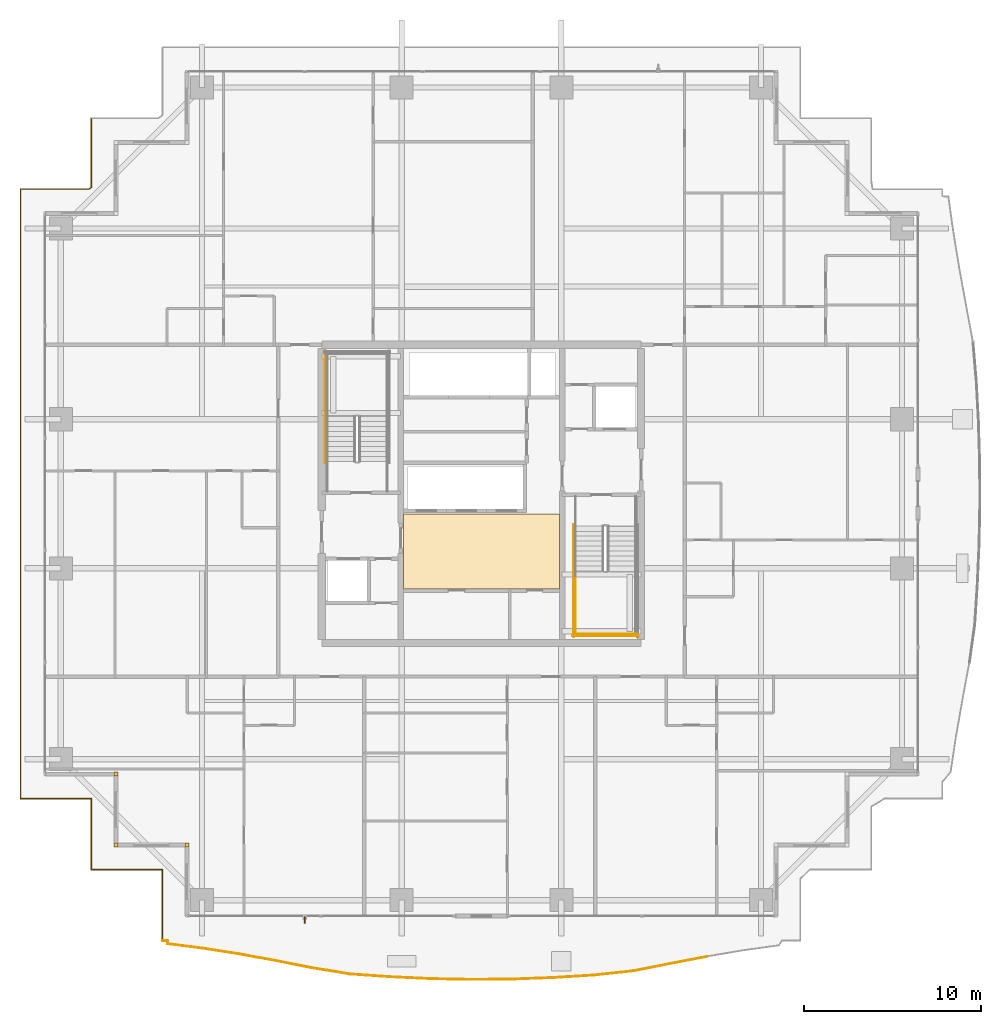
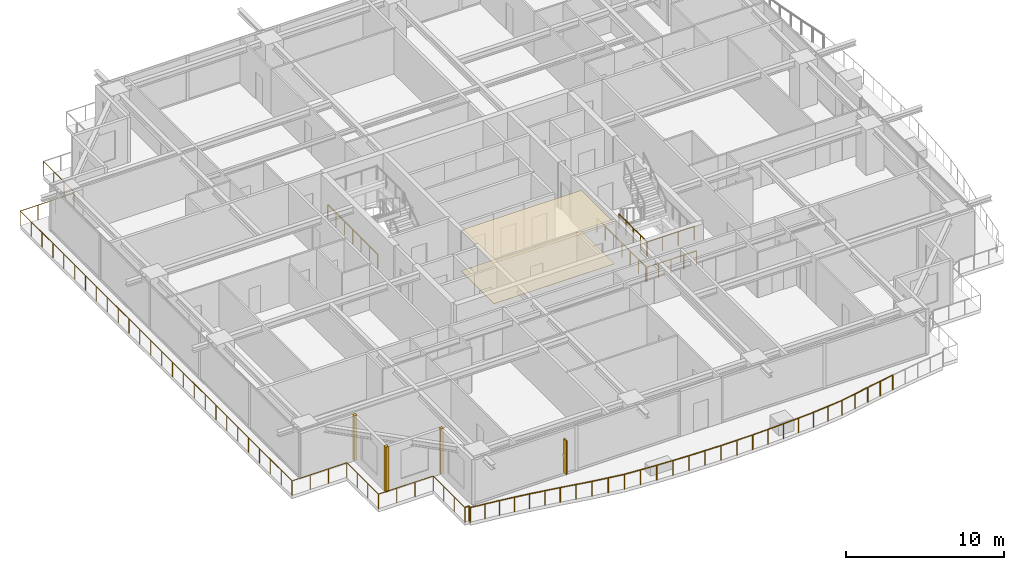
# One storey, part 31 of 35: 8 railings, 5 coverings, 1 shading device.
"""IFC4 building model written with IfcOpenShell, lengths in metres."""

from ifc_helpers import new_model, si_unit, direction, frame, origin, origin_2d, place, context, subcontext, project, spatial, polyline, rectangle, circle, outline, extrude, source, transform, mapped, material, layer, layer_set, type_object, element, save


model = new_model("IFC4")

# Units and contexts
model_context = context("Model", 3, precision=1e-05, world=origin(), true_north=direction((0.0, 1.0)))
body_context = subcontext(model_context, "Body", "Model", "MODEL_VIEW")
ifc_project = project(units=[si_unit("LENGTHUNIT", "METRE"), si_unit("AREAUNIT", "SQUARE_METRE"), si_unit("VOLUMEUNIT", "CUBIC_METRE"), si_unit("PLANEANGLEUNIT", "RADIAN"), si_unit("MASSUNIT", "GRAM", prefix="KILO")], contexts=[model_context])

# Site, building, storey
site_placement = place(None, origin())
site = spatial("IfcSite", under=ifc_project, at=site_placement, CompositionType="ELEMENT")
building_placement = place(site_placement, origin())
building = spatial("IfcBuilding", under=site, at=building_placement, Name="Serunith Strait Residences", CompositionType="ELEMENT")
storey_placement = place(building_placement, frame((0.0, 0.0, 191.39990234375)))
storey = spatial("IfcBuildingStorey", under=building, at=storey_placement, Name="L48", CompositionType="ELEMENT", Elevation=191.39990234375)

# Coverings
ifc_material_1 = material(Name="Perforated acoustic gypsum ceiling tile")
ifc_layer_1 = layer(ifc_material_1, 0.02490234375, Name="Perforated acoustic gypsum ceiling tile")
ifc_layer_set_1 = layer_set([ifc_layer_1], Name="Perforated acoustic gypsum ceiling tile")
covering_type_1 = type_object("IfcCoveringType", Name="COV-CEIL-AC60", PredefinedType="CEILING", material=ifc_layer_set_1)
covering_1_placement = place(storey_placement, frame((0.0, 0.0, 3.14013671875)))
element("IfcCovering", 1, at=covering_1_placement, inside=storey, type_object=covering_type_1, Name="L48 Lift Lobby Acoustic Ceiling", PredefinedType="CEILING", context=body_context, shape_type="SweptSolid", body=[
    extrude(outline(polyline([(28.0, 19.85009765625), (36.800048828125, 19.85009765625), (36.800048828125, 24.050048828125), (28.0, 24.050048828125), (28.0, 19.85009765625)])), origin(), (0.0, 0.0, 1.0), 0.02490234375),
])
ifc_material_2 = material(Name="Honed limestone terrazzo flooring", Category="masonry")
ifc_layer_2 = layer(ifc_material_2, 0.02001953125, Name="Honed limestone terrazzo flooring")
ifc_layer_set_2 = layer_set([ifc_layer_2], Name="Honed limestone terrazzo flooring")
covering_type_2 = type_object("IfcCoveringType", Name="COV-FLOOR-TER40", PredefinedType="FLOORING", material=ifc_layer_set_2)
covering_2_placement = place(storey_placement, origin())
element("IfcCovering", 2, at=covering_2_placement, inside=storey, type_object=covering_type_2, Name="L48 Lift Lobby Terrazzo Flooring", PredefinedType="FLOORING", context=body_context, shape_type="SweptSolid", body=[
    extrude(outline(polyline([(28.0, 19.85009765625), (36.800048828125, 19.85009765625), (36.800048828125, 24.050048828125), (28.0, 24.050048828125), (28.0, 19.85009765625)])), origin(), (0.0, 0.0, 1.0), 0.02001953125),
])

# Railings
ifc_material_3 = material(Name="Stainless Steel & Laminated Glass Balustrade", Category="steel")
railing_type_1 = type_object("IfcRailingType", Name="RLG-BALC-1150", PredefinedType="BALUSTRADE", material=ifc_material_3)
railing_1_placement = place(storey_placement, frame((14.419921875, 0.02001953125, -0.0498046875)))
element("IfcRailing", 3, at=railing_1_placement, inside=storey, type_object=railing_type_1, Name="L48 Swirling Balcony Perimeter Balustrade 1", PredefinedType="BALUSTRADE", context=body_context, shape_type="SweptSolid", body=[
    extrude(circle(Radius=0.02392578125, at=origin_2d()), frame((0.0, 0.001953125, 1.1259765625), z_axis=(0.0, 1.0, 0.0), x_axis=(-1.0, 0.0, 0.0)), (0.0, 0.0, 1.0), 3.99609375),
    extrude(circle(Radius=0.02392578125, at=origin_2d()), frame((-0.001953125, 4.0, 1.1259765625), z_axis=(-1.0, 0.0, 0.0), x_axis=(0.0, -1.0, 0.0)), (0.0, 0.0, 1.0), 3.99609375),
    extrude(circle(Radius=0.02392578125, at=origin_2d()), frame((-4.0, 4.001953125, 1.1259765625), z_axis=(0.0, 1.0, 0.0), x_axis=(-1.0, 0.0, 0.0)), (0.0, 0.0, 1.0), 3.99609375),
    extrude(circle(Radius=0.02392578125, at=origin_2d()), frame((-4.001953125, 8.0, 1.1259765625), z_axis=(-1.0, 0.0, 0.0), x_axis=(0.0, -1.0, 0.0)), (0.0, 0.0, 1.0), 3.99609375),
    extrude(circle(Radius=0.02392578125, at=origin_2d()), frame((-8.0, 8.001953125, 1.1259765625), z_axis=(0.0, 1.0, 0.0), x_axis=(-1.0, 0.0, 0.0)), (0.0, 0.0, 1.0), 34.35595703125),
    extrude(circle(Radius=0.02392578125, at=origin_2d()), frame((-7.998046875, 42.35986328125, 1.1259765625), z_axis=(1.0, 0.0, 0.0), x_axis=(0.0, 1.0, 0.0)), (0.0, 0.0, 1.0), 3.861083984375),
    extrude(circle(Radius=0.02392578125, at=origin_2d()), frame((-4.13330078125, 42.361083984375, 1.1259765625), z_axis=(0.808862567734, 0.587997743633, 0.0), x_axis=(-0.587997743633, 0.808862567734, 0.0)), (0.0, 0.0, 1.0), 0.162841796875),
    extrude(circle(Radius=0.02392578125, at=origin_2d()), frame((-4.0, 42.4599609375, 1.1259765625), z_axis=(0.0, 1.0, 0.0), x_axis=(-1.0, 0.0, 0.0)), (0.0, 0.0, 1.0), 3.89794921875),
    extrude(circle(Radius=0.02099609375, at=origin_2d()), origin(), (0.0, 0.0, 1.0), 1.099853515625),
    extrude(circle(Radius=0.02099609375, at=origin_2d()), frame((0.0, 1.333251953125, 0.0)), (0.0, 0.0, 1.0), 1.099853515625),
    extrude(circle(Radius=0.02099609375, at=origin_2d()), frame((0.0, 2.666748046875, 0.0)), (0.0, 0.0, 1.0), 1.099853515625),
    extrude(circle(Radius=0.02099609375, at=origin_2d()), frame((0.0, 4.0, 0.0)), (0.0, 0.0, 1.0), 1.099853515625),
    extrude(circle(Radius=0.02099609375, at=origin_2d()), frame((-1.333251953125, 4.0, 0.0)), (0.0, 0.0, 1.0), 1.099853515625),
    extrude(circle(Radius=0.02099609375, at=origin_2d()), frame((-2.666748046875, 4.0, 0.0)), (0.0, 0.0, 1.0), 1.099853515625),
    extrude(circle(Radius=0.02099609375, at=origin_2d()), frame((-4.0, 4.0, 0.0)), (0.0, 0.0, 1.0), 1.099853515625),
    extrude(circle(Radius=0.02099609375, at=origin_2d()), frame((-4.0, 5.333251953125, 0.0)), (0.0, 0.0, 1.0), 1.099853515625),
    extrude(circle(Radius=0.02099609375, at=origin_2d()), frame((-4.0, 6.666748046875, 0.0)), (0.0, 0.0, 1.0), 1.099853515625),
    extrude(circle(Radius=0.02099609375, at=origin_2d()), frame((-4.0, 8.0, 0.0)), (0.0, 0.0, 1.0), 1.099853515625),
    extrude(circle(Radius=0.02099609375, at=origin_2d()), frame((-5.333251953125, 8.0, 0.0)), (0.0, 0.0, 1.0), 1.099853515625),
    extrude(circle(Radius=0.02099609375, at=origin_2d()), frame((-6.666748046875, 8.0, 0.0)), (0.0, 0.0, 1.0), 1.099853515625),
    extrude(circle(Radius=0.02099609375, at=origin_2d()), frame((-8.0, 8.0, 0.0)), (0.0, 0.0, 1.0), 1.099853515625),
    extrude(circle(Radius=0.02099609375, at=origin_2d()), frame((-8.0, 9.37451171875, 0.0)), (0.0, 0.0, 1.0), 1.099853515625),
    extrude(circle(Radius=0.02099609375, at=origin_2d()), frame((-8.0, 10.748779296875, 0.0)), (0.0, 0.0, 1.0), 1.099853515625),
    extrude(circle(Radius=0.02099609375, at=origin_2d()), frame((-8.0, 12.123291015625, 0.0)), (0.0, 0.0, 1.0), 1.099853515625),
    extrude(circle(Radius=0.02099609375, at=origin_2d()), frame((-8.0, 13.49755859375, 0.0)), (0.0, 0.0, 1.0), 1.099853515625),
    extrude(circle(Radius=0.02099609375, at=origin_2d()), frame((-8.0, 14.8720703125, 0.0)), (0.0, 0.0, 1.0), 1.099853515625),
    extrude(circle(Radius=0.02099609375, at=origin_2d()), frame((-8.0, 16.246337890625, 0.0)), (0.0, 0.0, 1.0), 1.099853515625),
    extrude(circle(Radius=0.02099609375, at=origin_2d()), frame((-8.0, 17.620849609375, 0.0)), (0.0, 0.0, 1.0), 1.099853515625),
    extrude(circle(Radius=0.02099609375, at=origin_2d()), frame((-8.0, 18.9951171875, 0.0)), (0.0, 0.0, 1.0), 1.099853515625),
    extrude(circle(Radius=0.02099609375, at=origin_2d()), frame((-8.0, 20.36962890625, 0.0)), (0.0, 0.0, 1.0), 1.099853515625),
    extrude(circle(Radius=0.02099609375, at=origin_2d()), frame((-8.0, 21.743896484375, 0.0)), (0.0, 0.0, 1.0), 1.099853515625),
    extrude(circle(Radius=0.02099609375, at=origin_2d()), frame((-8.0, 23.118408203125, 0.0)), (0.0, 0.0, 1.0), 1.099853515625),
    extrude(circle(Radius=0.02099609375, at=origin_2d()), frame((-8.0, 24.49267578125, 0.0)), (0.0, 0.0, 1.0), 1.099853515625),
    extrude(circle(Radius=0.02099609375, at=origin_2d()), frame((-8.0, 25.8671875, 0.0)), (0.0, 0.0, 1.0), 1.099853515625),
    extrude(circle(Radius=0.02099609375, at=origin_2d()), frame((-8.0, 27.241455078125, 0.0)), (0.0, 0.0, 1.0), 1.099853515625),
    extrude(circle(Radius=0.02099609375, at=origin_2d()), frame((-8.0, 28.615966796875, 0.0)), (0.0, 0.0, 1.0), 1.099853515625),
    extrude(circle(Radius=0.02099609375, at=origin_2d()), frame((-8.0, 29.990234375, 0.0)), (0.0, 0.0, 1.0), 1.099853515625),
    extrude(circle(Radius=0.02099609375, at=origin_2d()), frame((-8.0, 31.36474609375, 0.0)), (0.0, 0.0, 1.0), 1.099853515625),
    extrude(circle(Radius=0.02099609375, at=origin_2d()), frame((-8.0, 32.739013671875, 0.0)), (0.0, 0.0, 1.0), 1.099853515625),
    extrude(circle(Radius=0.02099609375, at=origin_2d()), frame((-8.0, 34.113525390625, 0.0)), (0.0, 0.0, 1.0), 1.099853515625),
    extrude(circle(Radius=0.02099609375, at=origin_2d()), frame((-8.0, 35.48779296875, 0.0)), (0.0, 0.0, 1.0), 1.099853515625),
    extrude(circle(Radius=0.02099609375, at=origin_2d()), frame((-8.0, 36.8623046875, 0.0)), (0.0, 0.0, 1.0), 1.099853515625),
    extrude(circle(Radius=0.02099609375, at=origin_2d()), frame((-8.0, 38.236572265625, 0.0)), (0.0, 0.0, 1.0), 1.099853515625),
    extrude(circle(Radius=0.02099609375, at=origin_2d()), frame((-8.0, 39.611083984375, 0.0)), (0.0, 0.0, 1.0), 1.099853515625),
    extrude(circle(Radius=0.02099609375, at=origin_2d()), frame((-8.0, 40.9853515625, 0.0)), (0.0, 0.0, 1.0), 1.099853515625),
    extrude(circle(Radius=0.02099609375, at=origin_2d()), frame((-8.0, 42.35986328125, 0.0)), (0.0, 0.0, 1.0), 1.099853515625),
    extrude(circle(Radius=0.02099609375, at=origin_2d()), frame((-6.711669921875, 42.35986328125, 0.0)), (0.0, 0.0, 1.0), 1.099853515625),
    extrude(circle(Radius=0.02099609375, at=origin_2d()), frame((-5.42333984375, 42.35986328125, 0.0)), (0.0, 0.0, 1.0), 1.099853515625),
    extrude(circle(Radius=0.02099609375, at=origin_2d()), frame((-4.135009765625, 42.35986328125, 0.0)), (0.0, 0.0, 1.0), 1.099853515625),
    extrude(circle(Radius=0.02099609375, at=origin_2d()), frame((-4.0, 42.4580078125, 0.0)), (0.0, 0.0, 1.0), 1.099853515625),
    extrude(circle(Radius=0.02099609375, at=origin_2d()), frame((-4.0, 43.758544921875, 0.0)), (0.0, 0.0, 1.0), 1.099853515625),
    extrude(circle(Radius=0.02099609375, at=origin_2d()), frame((-4.0, 45.059326171875, 0.0)), (0.0, 0.0, 1.0), 1.099853515625),
    extrude(circle(Radius=0.02099609375, at=origin_2d()), frame((-4.0, 46.35986328125, 0.0)), (0.0, 0.0, 1.0), 1.099853515625),
])
railing_2_placement = place(storey_placement, frame((45.1435546875, -0.87109375, -0.0498046875)))
element("IfcRailing", 4, at=railing_2_placement, inside=storey, type_object=railing_type_1, Name="L48 Swirling Balcony Perimeter Balustrade 7", PredefinedType="BALUSTRADE", context=body_context, shape_type="SweptSolid", body=[
    extrude(circle(Radius=0.02392578125, at=origin_2d()), frame((-0.001953125, -0.00048828125, 1.1259765625), z_axis=(-0.982256601831, -0.187541910408, 0.0), x_axis=(0.187541910408, -0.982256601831, 0.0)), (0.0, 0.0, 1.0), 2.083984375),
    extrude(circle(Radius=0.02392578125, at=origin_2d()), frame((-2.052978515625, -0.39208984375, 1.1259765625), z_axis=(-0.980593779656, -0.196050603925, 0.0), x_axis=(0.196050603925, -0.980593779656, 0.0)), (0.0, 0.0, 1.0), 2.145263671875),
    extrude(circle(Radius=0.02392578125, at=origin_2d()), frame((-4.16064453125, -0.813232421875, 1.1259765625), z_axis=(-0.994240758058, -0.107169561988, 0.0), x_axis=(0.107169561988, -0.994240758058, 0.0)), (0.0, 0.0, 1.0), 2.230712890625),
    extrude(circle(Radius=0.02392578125, at=origin_2d()), frame((-6.382568359375, -1.052734375, 1.1259765625), z_axis=(-0.998072099089, -0.062065167521, 0.0), x_axis=(0.062065167521, -0.998072099089, 0.0)), (0.0, 0.0, 1.0), 2.277587890625),
    extrude(circle(Radius=0.02392578125, at=origin_2d()), frame((-8.65966796875, -1.194091796875, 1.1259765625), z_axis=(-0.999305374588, -0.037266181995, 0.0), x_axis=(0.037266181995, -0.999305374588, 0.0)), (0.0, 0.0, 1.0), 2.302001953125),
    extrude(circle(Radius=0.02392578125, at=origin_2d()), frame((-10.964111328125, -1.280029296875, 1.1259765625), z_axis=(-0.999956073008, -0.009372942654, 0.0), x_axis=(0.009372942654, -0.999956073008, 0.0)), (0.0, 0.0, 1.0), 2.314208984375),
    extrude(circle(Radius=0.02392578125, at=origin_2d()), frame((-13.2822265625, -1.3017578125, 1.1259765625), z_axis=(-0.999811732785, 0.019403581777, 0.0), x_axis=(-0.019403581777, -0.999811732785, 0.0)), (0.0, 0.0, 1.0), 2.31103515625),
    extrude(circle(Radius=0.02392578125, at=origin_2d()), frame((-15.596923828125, -1.2568359375, 1.1259765625), z_axis=(-0.998916643131, 0.04653536372, 0.0), x_axis=(-0.04653536372, -0.998916643131, 0.0)), (0.0, 0.0, 1.0), 2.2939453125),
    extrude(circle(Radius=0.02099609375, at=origin_2d()), origin(), (0.0, 0.0, 1.0), 1.099853515625),
    extrude(circle(Radius=0.02099609375, at=origin_2d()), frame((-1.025390625, -0.19580078125, 0.0)), (0.0, 0.0, 1.0), 1.099853515625),
    extrude(circle(Radius=0.02099609375, at=origin_2d()), frame((-2.051025390625, -0.3916015625, 0.0)), (0.0, 0.0, 1.0), 1.099853515625),
    extrude(circle(Radius=0.02099609375, at=origin_2d()), frame((-3.10498046875, -0.602294921875, 0.0)), (0.0, 0.0, 1.0), 1.099853515625),
    extrude(circle(Radius=0.02099609375, at=origin_2d()), frame((-4.15869140625, -0.81298828125, 0.0)), (0.0, 0.0, 1.0), 1.099853515625),
    extrude(circle(Radius=0.02099609375, at=origin_2d()), frame((-5.26953125, -0.9326171875, 0.0)), (0.0, 0.0, 1.0), 1.099853515625),
    extrude(circle(Radius=0.02099609375, at=origin_2d()), frame((-6.380615234375, -1.052490234375, 0.0)), (0.0, 0.0, 1.0), 1.099853515625),
    extrude(circle(Radius=0.02099609375, at=origin_2d()), frame((-7.51904296875, -1.123291015625, 0.0)), (0.0, 0.0, 1.0), 1.099853515625),
    extrude(circle(Radius=0.02099609375, at=origin_2d()), frame((-8.65771484375, -1.194091796875, 0.0)), (0.0, 0.0, 1.0), 1.099853515625),
    extrude(circle(Radius=0.02099609375, at=origin_2d()), frame((-9.81005859375, -1.237060546875, 0.0)), (0.0, 0.0, 1.0), 1.099853515625),
    extrude(circle(Radius=0.02099609375, at=origin_2d()), frame((-10.962158203125, -1.280029296875, 0.0)), (0.0, 0.0, 1.0), 1.099853515625),
    extrude(circle(Radius=0.02099609375, at=origin_2d()), frame((-12.12109375, -1.291015625, 0.0)), (0.0, 0.0, 1.0), 1.099853515625),
    extrude(circle(Radius=0.02099609375, at=origin_2d()), frame((-13.2802734375, -1.3017578125, 0.0)), (0.0, 0.0, 1.0), 1.099853515625),
    extrude(circle(Radius=0.02099609375, at=origin_2d()), frame((-14.4375, -1.279296875, 0.0)), (0.0, 0.0, 1.0), 1.099853515625),
    extrude(circle(Radius=0.02099609375, at=origin_2d()), frame((-15.594970703125, -1.2568359375, 0.0)), (0.0, 0.0, 1.0), 1.099853515625),
    extrude(circle(Radius=0.02099609375, at=origin_2d()), frame((-16.74267578125, -1.203369140625, 0.0)), (0.0, 0.0, 1.0), 1.099853515625),
    extrude(circle(Radius=0.02099609375, at=origin_2d()), frame((-17.890380859375, -1.14990234375, 0.0)), (0.0, 0.0, 1.0), 1.099853515625),
])
railing_3_placement = place(storey_placement, frame((27.253173828125, -2.02099609375, -0.0498046875)))
element("IfcRailing", 5, at=railing_3_placement, inside=storey, type_object=railing_type_1, Name="L48 Swirling Balcony Perimeter Balustrade 8", PredefinedType="BALUSTRADE", context=body_context, shape_type="SweptSolid", body=[
    extrude(circle(Radius=0.02392578125, at=origin_2d()), frame((-0.001953125, 0.000244140625, 1.1259765625), z_axis=(-0.997573189141, 0.069625658401, 0.0), x_axis=(-0.069625658401, -0.997573189141, 0.0)), (0.0, 0.0, 1.0), 2.2646484375),
    extrude(circle(Radius=0.02392578125, at=origin_2d()), frame((-2.26513671875, 0.158203125, 1.1259765625), z_axis=(-0.986929632079, 0.161151795907, 0.0), x_axis=(-0.161151795907, -0.986929632079, 0.0)), (0.0, 0.0, 1.0), 2.191162109375),
    extrude(circle(Radius=0.02392578125, at=origin_2d()), frame((-4.431640625, 0.51220703125, 1.1259765625), z_axis=(-0.980915729421, 0.194433360755, 0.0), x_axis=(-0.194433360755, -0.980915729421, 0.0)), (0.0, 0.0, 1.0), 2.11669921875),
    extrude(circle(Radius=0.02392578125, at=origin_2d()), frame((-6.511962890625, 0.92431640625, 1.1259765625), z_axis=(-0.983779027648, 0.179384572249, 0.0), x_axis=(-0.179384572249, -0.983779027648, 0.0)), (0.0, 0.0, 1.0), 2.06201171875),
    extrude(circle(Radius=0.02392578125, at=origin_2d()), frame((-8.54443359375, 1.294921875, 1.1259765625), z_axis=(-0.987977602441, 0.154597079778, 0.0), x_axis=(-0.154597079778, -0.987977602441, 0.0)), (0.0, 0.0, 1.0), 2.025390625),
    extrude(circle(Radius=0.02392578125, at=origin_2d()), frame((-10.54931640625, 1.608642578125, 1.1259765625), z_axis=(-0.991998741789, 0.12624775756, 0.0), x_axis=(-0.12624775756, -0.991998741789, 0.0)), (0.0, 0.0, 1.0), 2.005126953125),
    extrude(circle(Radius=0.02392578125, at=origin_2d()), frame((-12.54052734375, 1.864013671875, 1.1259765625), z_axis=(0.008185264667, 0.99996650016, 0.0), x_axis=(-0.99996650016, 0.008185264667, 0.0)), (0.0, 0.0, 1.0), 0.175048828125),
    extrude(circle(Radius=0.02392578125, at=origin_2d()), frame((-12.541015625, 2.041015625, 1.1259765625), z_axis=(-1.0, 0.0, 0.0), x_axis=(0.0, -1.0, 0.0)), (0.0, 0.0, 1.0), 0.290283203125),
    extrude(circle(Radius=0.02099609375, at=origin_2d()), origin(), (0.0, 0.0, 1.0), 1.099853515625),
    extrude(circle(Radius=0.02099609375, at=origin_2d()), frame((-1.131591796875, 0.0791015625, 0.0)), (0.0, 0.0, 1.0), 1.099853515625),
    extrude(circle(Radius=0.02099609375, at=origin_2d()), frame((-2.26318359375, 0.157958984375, 0.0)), (0.0, 0.0, 1.0), 1.099853515625),
    extrude(circle(Radius=0.02099609375, at=origin_2d()), frame((-3.346435546875, 0.3349609375, 0.0)), (0.0, 0.0, 1.0), 1.099853515625),
    extrude(circle(Radius=0.02099609375, at=origin_2d()), frame((-4.4296875, 0.51171875, 0.0)), (0.0, 0.0, 1.0), 1.099853515625),
    extrude(circle(Radius=0.02099609375, at=origin_2d()), frame((-5.4697265625, 0.7177734375, 0.0)), (0.0, 0.0, 1.0), 1.099853515625),
    extrude(circle(Radius=0.02099609375, at=origin_2d()), frame((-6.510009765625, 0.924072265625, 0.0)), (0.0, 0.0, 1.0), 1.099853515625),
    extrude(circle(Radius=0.02099609375, at=origin_2d()), frame((-7.5263671875, 1.109375, 0.0)), (0.0, 0.0, 1.0), 1.099853515625),
    extrude(circle(Radius=0.02099609375, at=origin_2d()), frame((-8.54248046875, 1.294677734375, 0.0)), (0.0, 0.0, 1.0), 1.099853515625),
    extrude(circle(Radius=0.02099609375, at=origin_2d()), frame((-9.544921875, 1.45166015625, 0.0)), (0.0, 0.0, 1.0), 1.099853515625),
    extrude(circle(Radius=0.02099609375, at=origin_2d()), frame((-10.54736328125, 1.6083984375, 0.0)), (0.0, 0.0, 1.0), 1.099853515625),
    extrude(circle(Radius=0.02099609375, at=origin_2d()), frame((-11.5439453125, 1.7353515625, 0.0)), (0.0, 0.0, 1.0), 1.099853515625),
    extrude(circle(Radius=0.02099609375, at=origin_2d()), frame((-12.54052734375, 1.862060546875, 0.0)), (0.0, 0.0, 1.0), 1.099853515625),
    extrude(circle(Radius=0.02099609375, at=origin_2d()), frame((-12.5390625, 2.041015625, 0.0)), (0.0, 0.0, 1.0), 1.099853515625),
    extrude(circle(Radius=0.02099609375, at=origin_2d()), frame((-12.833251953125, 2.041015625, 0.0)), (0.0, 0.0, 1.0), 1.099853515625),
])
ifc_material_4 = material(Name="Brushed stainless steel 316L", Category="steel")
railing_type_2 = type_object("IfcRailingType", Name="RLG-STAIR-GUARD", PredefinedType="BALUSTRADE", material=ifc_material_4)
railing_4_placement = place(storey_placement, frame((23.60009765625, 26.929931640625, 0.0)))
element("IfcRailing", 6, at=railing_4_placement, inside=storey, type_object=railing_type_2, Name="L48 ST-1 stair guard 11", PredefinedType="BALUSTRADE", context=body_context, shape_type="SweptSolid", body=[
    extrude(circle(Radius=0.02392578125, at=origin_2d()), frame((0.0, 0.001953125, 1.076171875), z_axis=(0.0, 1.0, 0.0), x_axis=(-1.0, 0.0, 0.0)), (0.0, 0.0, 1.0), 6.316162109375),
    extrude(circle(Radius=0.02099609375, at=origin_2d()), origin(), (0.0, 0.0, 1.0), 1.050048828125),
    extrude(circle(Radius=0.02099609375, at=origin_2d()), frame((0.0, 1.05322265625, 0.0)), (0.0, 0.0, 1.0), 1.050048828125),
    extrude(circle(Radius=0.02099609375, at=origin_2d()), frame((0.0, 2.106689453125, 0.0)), (0.0, 0.0, 1.0), 1.050048828125),
    extrude(circle(Radius=0.02099609375, at=origin_2d()), frame((0.0, 3.16015625, 0.0)), (0.0, 0.0, 1.0), 1.050048828125),
    extrude(circle(Radius=0.02099609375, at=origin_2d()), frame((0.0, 4.21337890625, 0.0)), (0.0, 0.0, 1.0), 1.050048828125),
    extrude(circle(Radius=0.02099609375, at=origin_2d()), frame((0.0, 5.2666015625, 0.0)), (0.0, 0.0, 1.0), 1.050048828125),
    extrude(circle(Radius=0.02099609375, at=origin_2d()), frame((0.0, 6.320068359375, 0.0)), (0.0, 0.0, 1.0), 1.050048828125),
])
railing_5_placement = place(storey_placement, frame((37.699951171875, 20.85009765625, 1.875)))
element("IfcRailing", 7, at=railing_5_placement, inside=storey, type_object=railing_type_2, Name="L48 ST-2 stair guard 3", PredefinedType="BALUSTRADE", context=body_context, shape_type="SweptSolid", body=[
    extrude(circle(Radius=0.02392578125, at=origin_2d()), frame((0.0, -0.001953125, 1.076171875), z_axis=(0.0, -1.0, 0.0), x_axis=(1.0, 0.0, 0.0)), (0.0, 0.0, 1.0), 3.59619140625),
    extrude(circle(Radius=0.02099609375, at=origin_2d()), origin(), (0.0, 0.0, 1.0), 1.050048828125),
    extrude(circle(Radius=0.02099609375, at=origin_2d()), frame((0.0, -0.89990234375, 0.0)), (0.0, 0.0, 1.0), 1.050048828125),
    extrude(circle(Radius=0.02099609375, at=origin_2d()), frame((0.0, -1.800048828125, 0.0)), (0.0, 0.0, 1.0), 1.050048828125),
    extrude(circle(Radius=0.02099609375, at=origin_2d()), frame((0.0, -2.7001953125, 0.0)), (0.0, 0.0, 1.0), 1.050048828125),
    extrude(circle(Radius=0.02099609375, at=origin_2d()), frame((0.0, -3.60009765625, 0.0)), (0.0, 0.0, 1.0), 1.050048828125),
])
railing_6_placement = place(storey_placement, frame((37.64990234375, 17.300048828125, 1.875)))
element("IfcRailing", 8, at=railing_6_placement, inside=storey, type_object=railing_type_2, Name="L48 ST-2 stair guard 5", PredefinedType="BALUSTRADE", context=body_context, shape_type="SweptSolid", body=[
    extrude(circle(Radius=0.02392578125, at=origin_2d()), frame((0.001953125, 0.0, 1.076171875), z_axis=(1.0, 0.0, 0.0), x_axis=(0.0, 1.0, 0.0)), (0.0, 0.0, 1.0), 3.49609375),
    extrude(circle(Radius=0.02099609375, at=origin_2d()), origin(), (0.0, 0.0, 1.0), 1.050048828125),
    extrude(circle(Radius=0.02099609375, at=origin_2d()), frame((1.166748046875, 0.0, 0.0)), (0.0, 0.0, 1.0), 1.050048828125),
    extrude(circle(Radius=0.02099609375, at=origin_2d()), frame((2.333251953125, 0.0, 0.0)), (0.0, 0.0, 1.0), 1.050048828125),
    extrude(circle(Radius=0.02099609375, at=origin_2d()), frame((3.5, 0.0, 0.0)), (0.0, 0.0, 1.0), 1.050048828125),
])
railing_7_placement = place(storey_placement, frame((37.60009765625, 23.469970703125, 0.0)))
element("IfcRailing", 9, at=railing_7_placement, inside=storey, type_object=railing_type_2, Name="L48 ST-2 stair guard 10", PredefinedType="BALUSTRADE", context=body_context, shape_type="SweptSolid", body=[
    extrude(circle(Radius=0.02392578125, at=origin_2d()), frame((0.0, -0.001953125, 1.076171875), z_axis=(0.0, -1.0, 0.0), x_axis=(1.0, 0.0, 0.0)), (0.0, 0.0, 1.0), 6.316162109375),
    extrude(circle(Radius=0.02099609375, at=origin_2d()), origin(), (0.0, 0.0, 1.0), 1.050048828125),
    extrude(circle(Radius=0.02099609375, at=origin_2d()), frame((0.0, -1.05322265625, 0.0)), (0.0, 0.0, 1.0), 1.050048828125),
    extrude(circle(Radius=0.02099609375, at=origin_2d()), frame((0.0, -2.106689453125, 0.0)), (0.0, 0.0, 1.0), 1.050048828125),
    extrude(circle(Radius=0.02099609375, at=origin_2d()), frame((0.0, -3.16015625, 0.0)), (0.0, 0.0, 1.0), 1.050048828125),
    extrude(circle(Radius=0.02099609375, at=origin_2d()), frame((0.0, -4.21337890625, 0.0)), (0.0, 0.0, 1.0), 1.050048828125),
    extrude(circle(Radius=0.02099609375, at=origin_2d()), frame((0.0, -5.2666015625, 0.0)), (0.0, 0.0, 1.0), 1.050048828125),
    extrude(circle(Radius=0.02099609375, at=origin_2d()), frame((0.0, -6.320068359375, 0.0)), (0.0, 0.0, 1.0), 1.050048828125),
])
railing_8_placement = place(storey_placement, frame((37.550048828125, 17.199951171875, 0.0)))
element("IfcRailing", 10, at=railing_8_placement, inside=storey, type_object=railing_type_2, Name="L48 ST-2 stair guard 12", PredefinedType="BALUSTRADE", context=body_context, shape_type="SweptSolid", body=[
    extrude(circle(Radius=0.02392578125, at=origin_2d()), frame((0.001953125, 0.0, 1.076171875), z_axis=(1.0, 0.0, 0.0), x_axis=(0.0, 1.0, 0.0)), (0.0, 0.0, 1.0), 3.696044921875),
    extrude(circle(Radius=0.02099609375, at=origin_2d()), origin(), (0.0, 0.0, 1.0), 1.050048828125),
    extrude(circle(Radius=0.02099609375, at=origin_2d()), frame((0.925048828125, 0.0, 0.0)), (0.0, 0.0, 1.0), 1.050048828125),
    extrude(circle(Radius=0.02099609375, at=origin_2d()), frame((1.85009765625, 0.0, 0.0)), (0.0, 0.0, 1.0), 1.050048828125),
    extrude(circle(Radius=0.02099609375, at=origin_2d()), frame((2.77490234375, 0.0, 0.0)), (0.0, 0.0, 1.0), 1.050048828125),
    extrude(circle(Radius=0.02099609375, at=origin_2d()), frame((3.699951171875, 0.0, 0.0)), (0.0, 0.0, 1.0), 1.050048828125),
])

# Coverings
ifc_material_5 = material(Name="Pale-Champagne Anodised Aluminium", Category="aluminium")
ifc_layer_3 = layer(ifc_material_5, 0.219970703125, Name="Pale-Champagne Anodised Aluminium")
ifc_layer_set_3 = layer_set([ifc_layer_3], Name="Pale-Champagne Anodised Aluminium")
covering_type_3 = type_object("IfcCoveringType", Name="COV-CORN-TRIM", PredefinedType="CLADDING", material=ifc_layer_set_3)
shared_shape_1 = source(origin(), body_context, "Body", "SweptSolid", [
    extrude(rectangle(XDim=0.221923828125, YDim=0.221923828125, at=origin_2d()), origin(), (0.0, 0.0, 1.0), 3.47509765625),
])
for number, where, z_axis, x_axis, name in (
    (11, (11.800048828125, 9.39990234375, 0.0), (0.0, 0.0, 1.0), (1.0, 0.0, 0.0), "L48 Girih Serrated Corner Trim Post 17"),
    (12, (11.800048828125, 5.39990234375, 0.0), (0.0, 0.0, 1.0), (1.0, 0.0, 0.0), "L48 Girih Serrated Corner Trim Post 18"),
    (13, (15.800048828125, 5.39990234375, 0.0), (0.0, 0.0, 1.0), (1.0, 0.0, 0.0), "L48 Girih Serrated Corner Trim Post 19"),
):
    element("IfcCovering", number, at=place(storey_placement, frame(where, z_axis=z_axis, x_axis=x_axis)), inside=storey, type_object=covering_type_3, Name=name, PredefinedType="CLADDING", context=body_context, shape_type="MappedRepresentation", body=[
        mapped(shared_shape_1, transform((0.0, 0.0, 0.0), scale=1.0)),
    ])

# Shading device
ifc_material_6 = material(Name="Pale-Champagne Perforated Aluminium Fin", Category="aluminium")
shading_device_type = type_object("IfcShadingDeviceType", Name="SHD-DIAG-FIN", PredefinedType="AWNING", material=ifc_material_6)
shared_shape_2 = source(origin(), body_context, "Body", "SweptSolid", [
    extrude(rectangle(XDim=0.080078125, YDim=0.35009765625, at=origin_2d()), origin(), (0.0, 0.0, 1.0), 2.60009765625),
])
shading_device_placement = place(storey_placement, frame((22.43994140625, 1.179931640625, 0.199951171875), z_axis=(0.0, 0.0, 1.0), x_axis=(1.0, 0.0, 0.0)))
element("IfcShadingDevice", 14, at=shading_device_placement, inside=storey, type_object=shading_device_type, Name="L48 Diagonal Rhythm Solar Fin S", PredefinedType="AWNING", context=body_context, shape_type="MappedRepresentation", body=[
    mapped(shared_shape_2, transform((0.0, 0.0, 0.0), scale=1.0)),
])

save(model, "model.ifc")
